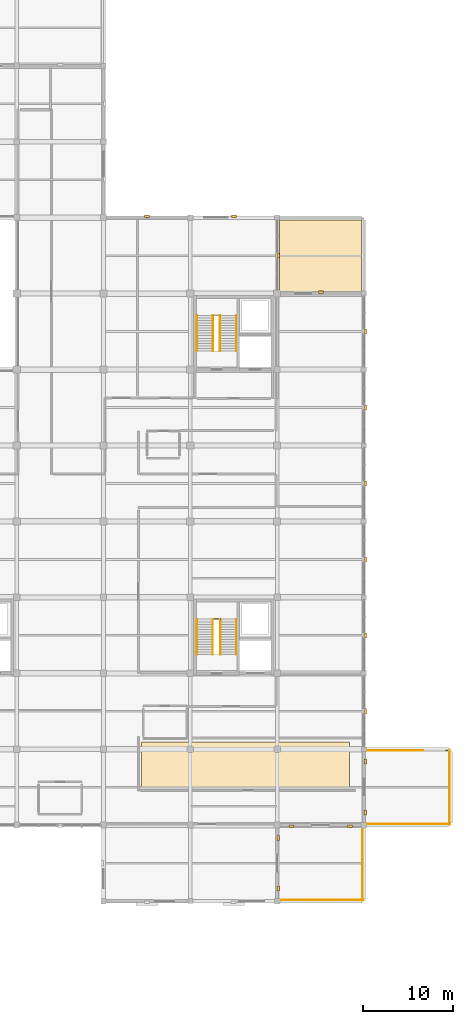
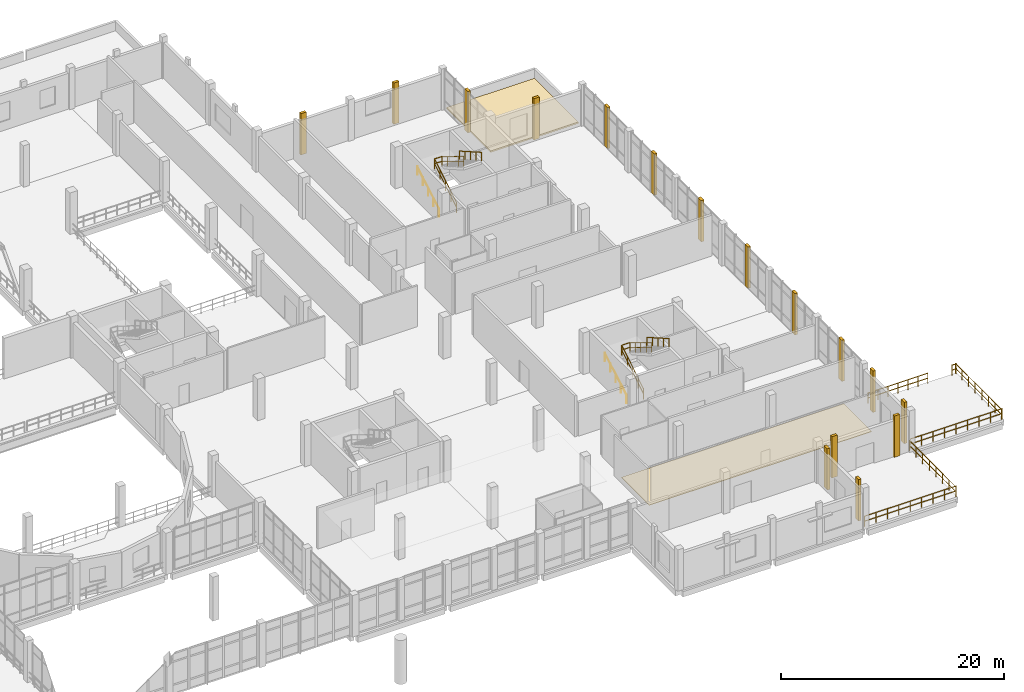
# One storey, part 102 of 102: 18 coverings, 16 railings.
"""IFC4 building model written with IfcOpenShell, lengths in metres."""

from ifc_helpers import new_model, si_unit, direction, frame, origin, origin_2d, place, context, subcontext, project, spatial, polyline, circle, outline, extrude, material, layer, layer_set, type_object, element, save


model = new_model("IFC4")

# Units and contexts
model_context = context("Model", 3, precision=1e-05, world=origin(), true_north=direction((0.0, 1.0)))
body_context = subcontext(model_context, "Body", "Model", "MODEL_VIEW")
ifc_project = project(units=[si_unit("LENGTHUNIT", "METRE"), si_unit("AREAUNIT", "SQUARE_METRE"), si_unit("VOLUMEUNIT", "CUBIC_METRE"), si_unit("PLANEANGLEUNIT", "RADIAN"), si_unit("MASSUNIT", "GRAM", prefix="KILO")], contexts=[model_context])

# Site, building, storey
site_placement = place(None, origin())
site = spatial("IfcSite", under=ifc_project, at=site_placement, CompositionType="ELEMENT")
building_placement = place(site_placement, origin())
building = spatial("IfcBuilding", under=site, at=building_placement, Name="Lornevale Opera House", CompositionType="ELEMENT")
storey_placement = place(building_placement, frame((0.0, 0.0, 5.39990234375)))
storey = spatial("IfcBuildingStorey", under=building, at=storey_placement, Name="L02", CompositionType="ELEMENT", Elevation=5.39990234375)

# Coverings
ifc_material_1 = material(Name="Vegetated Extensive Green Roof Assembly")
ifc_layer_1 = layer(ifc_material_1, 0.159912109375)
ifc_layer_set_1 = layer_set([ifc_layer_1], Name="Vegetated Extensive Green Roof Assembly")
covering_type_1 = type_object("IfcCoveringType", Name="Chapter 492 Green Roof Covering", PredefinedType="ROOFING", material=ifc_layer_set_1)
covering_1_placement = place(storey_placement, origin())
element("IfcCovering", 1, at=covering_1_placement, inside=storey, type_object=covering_type_1, Name="Chapter 492 Green Roof Covering 0559", PredefinedType="ROOFING", context=body_context, shape_type="SweptSolid", body=[
    extrude(outline(polyline([(153.340087890625, 83.739990234375), (153.340087890625, 75.860107421875), (144.260009765625, 75.860107421875), (144.260009765625, 83.739990234375), (153.340087890625, 83.739990234375)])), origin(), (0.0, 0.0, 1.0), 0.16015625),
])
ifc_material_2 = material(Name="Precast Concrete 40 MPa (CSA A23.1 C-1)", Category="concrete")
ifc_layer_2 = layer(ifc_material_2, 0.260009765625)
ifc_layer_set_2 = layer_set([ifc_layer_2], Name="Precast Concrete 40 MPa (CSA A23.1 C-1)")
covering_type_2 = type_object("IfcCoveringType", Name="Postmodern Sandstone Pilaster Rib", PredefinedType="CLADDING", material=ifc_layer_set_2)
covering_2_placement = place(storey_placement, origin())
element("IfcCovering", 2, at=covering_2_placement, inside=storey, type_object=covering_type_2, Name="Postmodern Sandstone Pilaster 0232", PredefinedType="CLADDING", context=body_context, shape_type="SweptSolid", body=[
    extrude(outline(polyline([(129.3330078125, 84.0), (129.89306640625, 84.0), (129.89306640625, 84.280029296875), (129.3330078125, 84.280029296875), (129.3330078125, 84.0)])), origin(), (0.0, 0.0, 1.0), 4.52001953125),
])
covering_3_placement = place(storey_placement, origin())
element("IfcCovering", 3, at=covering_3_placement, inside=storey, type_object=covering_type_2, Name="Postmodern Sandstone Pilaster 0234", PredefinedType="CLADDING", context=body_context, shape_type="SweptSolid", body=[
    extrude(outline(polyline([(144.0, 15.6669921875), (144.0, 15.10693359375), (144.280029296875, 15.10693359375), (144.280029296875, 15.6669921875), (144.0, 15.6669921875)])), origin(), (0.0, 0.0, 1.0), 4.52001953125),
])
covering_4_placement = place(storey_placement, origin())
element("IfcCovering", 4, at=covering_4_placement, inside=storey, type_object=covering_type_2, Name="Postmodern Sandstone Pilaster 0235", PredefinedType="CLADDING", context=body_context, shape_type="SweptSolid", body=[
    extrude(outline(polyline([(144.0, 10.069091796875), (144.0, 9.509033203125), (144.280029296875, 9.509033203125), (144.280029296875, 10.069091796875), (144.0, 10.069091796875)])), origin(), (0.0, 0.0, 1.0), 4.52001953125),
])
covering_5_placement = place(storey_placement, origin())
element("IfcCovering", 5, at=covering_5_placement, inside=storey, type_object=covering_type_2, Name="Postmodern Sandstone Pilaster 0236", PredefinedType="CLADDING", context=body_context, shape_type="SweptSolid", body=[
    extrude(outline(polyline([(138.931884765625, 84.0), (139.491943359375, 84.0), (139.491943359375, 84.280029296875), (138.931884765625, 84.280029296875), (138.931884765625, 84.0)])), origin(), (0.0, 0.0, 1.0), 4.52001953125),
])
covering_6_placement = place(storey_placement, origin())
element("IfcCovering", 6, at=covering_6_placement, inside=storey, type_object=covering_type_2, Name="Postmodern Sandstone Mullion Pier 0237", PredefinedType="CLADDING", context=body_context, shape_type="SweptSolid", body=[
    extrude(outline(polyline([(144.0, 80.080078125), (144.0, 79.52001953125), (144.280029296875, 79.52001953125), (144.280029296875, 80.080078125), (144.0, 80.080078125)])), origin(), (0.0, 0.0, 1.0), 4.52001953125),
])
covering_7_placement = place(storey_placement, origin())
element("IfcCovering", 7, at=covering_7_placement, inside=storey, type_object=covering_type_2, Name="Postmodern Sandstone Pilaster 0238", PredefinedType="CLADDING", context=body_context, shape_type="SweptSolid", body=[
    extrude(outline(polyline([(152.323974609375, 16.800048828125), (151.763916015625, 16.800048828125), (151.763916015625, 16.52001953125), (152.323974609375, 16.52001953125), (152.323974609375, 16.800048828125)])), origin(), (0.0, 0.0, 1.0), 4.52001953125),
])
covering_8_placement = place(storey_placement, origin())
element("IfcCovering", 8, at=covering_8_placement, inside=storey, type_object=covering_type_2, Name="Postmodern Sandstone Pilaster 0239", PredefinedType="CLADDING", context=body_context, shape_type="SweptSolid", body=[
    extrude(outline(polyline([(145.862060546875, 16.800048828125), (145.302001953125, 16.800048828125), (145.302001953125, 16.52001953125), (145.862060546875, 16.52001953125), (145.862060546875, 16.800048828125)])), origin(), (0.0, 0.0, 1.0), 4.52001953125),
])
covering_9_placement = place(storey_placement, origin())
element("IfcCovering", 9, at=covering_9_placement, inside=storey, type_object=covering_type_2, Name="Postmodern Sandstone Pilaster 0240", PredefinedType="CLADDING", context=body_context, shape_type="SweptSolid", body=[
    extrude(outline(polyline([(153.60009765625, 24.10888671875), (153.60009765625, 23.549072265625), (153.8798828125, 23.549072265625), (153.8798828125, 24.10888671875), (153.60009765625, 24.10888671875)])), origin(), (0.0, 0.0, 1.0), 4.52001953125),
])
covering_10_placement = place(storey_placement, origin())
element("IfcCovering", 10, at=covering_10_placement, inside=storey, type_object=covering_type_2, Name="Postmodern Sandstone Pilaster 0241", PredefinedType="CLADDING", context=body_context, shape_type="SweptSolid", body=[
    extrude(outline(polyline([(153.60009765625, 18.47607421875), (153.60009765625, 17.916015625), (153.8798828125, 17.916015625), (153.8798828125, 18.47607421875), (153.60009765625, 18.47607421875)])), origin(), (0.0, 0.0, 1.0), 4.52001953125),
])
covering_11_placement = place(storey_placement, origin())
element("IfcCovering", 11, at=covering_11_placement, inside=storey, type_object=covering_type_2, Name="Postmodern Sandstone Mullion Pier 0242", PredefinedType="CLADDING", context=body_context, shape_type="SweptSolid", body=[
    extrude(outline(polyline([(153.60009765625, 29.679931640625), (153.60009765625, 29.1201171875), (153.8798828125, 29.1201171875), (153.8798828125, 29.679931640625), (153.60009765625, 29.679931640625)])), origin(), (0.0, 0.0, 1.0), 4.52001953125),
])
covering_12_placement = place(storey_placement, origin())
element("IfcCovering", 12, at=covering_12_placement, inside=storey, type_object=covering_type_2, Name="Postmodern Sandstone Mullion Pier 0243", PredefinedType="CLADDING", context=body_context, shape_type="SweptSolid", body=[
    extrude(outline(polyline([(153.60009765625, 38.080078125), (153.60009765625, 37.52001953125), (153.8798828125, 37.52001953125), (153.8798828125, 38.080078125), (153.60009765625, 38.080078125)])), origin(), (0.0, 0.0, 1.0), 4.52001953125),
])
covering_13_placement = place(storey_placement, origin())
element("IfcCovering", 13, at=covering_13_placement, inside=storey, type_object=covering_type_2, Name="Postmodern Sandstone Mullion Pier 0244", PredefinedType="CLADDING", context=body_context, shape_type="SweptSolid", body=[
    extrude(outline(polyline([(153.60009765625, 46.47998046875), (153.60009765625, 45.919921875), (153.8798828125, 45.919921875), (153.8798828125, 46.47998046875), (153.60009765625, 46.47998046875)])), origin(), (0.0, 0.0, 1.0), 4.52001953125),
])
covering_14_placement = place(storey_placement, origin())
element("IfcCovering", 14, at=covering_14_placement, inside=storey, type_object=covering_type_2, Name="Postmodern Sandstone Mullion Pier 0245", PredefinedType="CLADDING", context=body_context, shape_type="SweptSolid", body=[
    extrude(outline(polyline([(153.60009765625, 54.8798828125), (153.60009765625, 54.320068359375), (153.8798828125, 54.320068359375), (153.8798828125, 54.8798828125), (153.60009765625, 54.8798828125)])), origin(), (0.0, 0.0, 1.0), 4.52001953125),
])
covering_15_placement = place(storey_placement, origin())
element("IfcCovering", 15, at=covering_15_placement, inside=storey, type_object=covering_type_2, Name="Postmodern Sandstone Mullion Pier 0246", PredefinedType="CLADDING", context=body_context, shape_type="SweptSolid", body=[
    extrude(outline(polyline([(153.60009765625, 63.280029296875), (153.60009765625, 62.719970703125), (153.8798828125, 62.719970703125), (153.8798828125, 63.280029296875), (153.60009765625, 63.280029296875)])), origin(), (0.0, 0.0, 1.0), 4.52001953125),
])
covering_16_placement = place(storey_placement, origin())
element("IfcCovering", 16, at=covering_16_placement, inside=storey, type_object=covering_type_2, Name="Postmodern Sandstone Pilaster 0247", PredefinedType="CLADDING", context=body_context, shape_type="SweptSolid", body=[
    extrude(outline(polyline([(148.5830078125, 75.60009765625), (149.14306640625, 75.60009765625), (149.14306640625, 75.8798828125), (148.5830078125, 75.8798828125), (148.5830078125, 75.60009765625)])), origin(), (0.0, 0.0, 1.0), 4.52001953125),
])
covering_17_placement = place(storey_placement, origin())
element("IfcCovering", 17, at=covering_17_placement, inside=storey, type_object=covering_type_2, Name="Postmodern Sandstone Mullion Pier 0248", PredefinedType="CLADDING", context=body_context, shape_type="SweptSolid", body=[
    extrude(outline(polyline([(153.60009765625, 71.679931640625), (153.60009765625, 71.1201171875), (153.8798828125, 71.1201171875), (153.8798828125, 71.679931640625), (153.60009765625, 71.679931640625)])), origin(), (0.0, 0.0, 1.0), 4.52001953125),
])
ifc_material_3 = material(Name="Credit Valley Sandstone Ashlar Masonry (25 MPa)", Category="masonry")
ifc_layer_3 = layer(ifc_material_3, 0.054931640625)
ifc_layer_set_3 = layer_set([ifc_layer_3], Name="Credit Valley Sandstone Ashlar Masonry (25 MPa)")
covering_type_3 = type_object("IfcCoveringType", Name="Sandstone Forecourt Paving", PredefinedType="FLOORING", material=ifc_layer_set_3)
covering_18_placement = place(storey_placement, origin())
element("IfcCovering", 18, at=covering_18_placement, inside=storey, type_object=covering_type_3, Name="Architectural Stone & Timber Flooring 05", PredefinedType="FLOORING", context=body_context, shape_type="SweptSolid", body=[
    extrude(outline(polyline([(129.0, 21.0), (152.0, 21.0), (152.0, 26.0), (129.0, 26.0), (129.0, 21.0)])), origin(), (0.0, 0.0, 1.0), 0.05517578125),
])

# Railings
ifc_material_4 = material(Name="Structural Steel CSA G40.21 Grade 350W (350 MPa)", Category="steel")
ifc_layer_4 = layer(ifc_material_4, 0.050048828125)
ifc_layer_set_4 = layer_set([ifc_layer_4], Name="Structural Steel CSA G40.21 Grade 350W (350 MPa)")
railing_type_1 = type_object("IfcRailingType", Name="Stair Well Guardrail 1100", PredefinedType="GUARDRAIL", material=ifc_layer_set_4)
railing_1_placement = place(storey_placement, frame((136.919921875, 69.260009765625, 0.0)))
element("IfcRailing", 19, at=railing_1_placement, inside=storey, type_object=railing_type_1, Name="ST-31 Inner Well Guard F1", PredefinedType="GUARDRAIL", context=body_context, shape_type="SweptSolid", body=[
    extrude(circle(Radius=0.02392578125, at=origin_2d()), frame((0.0, 0.0, 1.076171875), z_axis=(0.0, 0.852832477147, 0.522184609045), x_axis=(-1.0, 0.0, 0.0)), (0.0, 0.0, 1.0), 4.596435546875),
    extrude(circle(Radius=0.02392578125, at=origin_2d()), frame((0.0, 0.0, 0.550048828125), z_axis=(0.0, 0.852832477147, 0.522184609045), x_axis=(-1.0, 0.0, 0.0)), (0.0, 0.0, 1.0), 4.596435546875),
    extrude(circle(Radius=0.02099609375, at=origin_2d()), origin(), (0.0, 0.0, 1.0), 1.052001953125),
    extrude(circle(Radius=0.02099609375, at=origin_2d()), frame((0.0, 0.97998046875, 0.60009765625)), (0.0, 0.0, 1.0), 1.052001953125),
    extrude(circle(Radius=0.02099609375, at=origin_2d()), frame((0.0, 1.9599609375, 1.2001953125)), (0.0, 0.0, 1.0), 1.052001953125),
    extrude(circle(Radius=0.02099609375, at=origin_2d()), frame((0.0, 2.93994140625, 1.800048828125)), (0.0, 0.0, 1.0), 1.052001953125),
    extrude(circle(Radius=0.02099609375, at=origin_2d()), frame((0.0, 3.919921875, 2.400146484375)), (0.0, 0.0, 1.0), 1.052001953125),
])
railing_2_placement = place(storey_placement, frame((137.679931640625, 73.179931640625, 2.400146484375)))
element("IfcRailing", 20, at=railing_2_placement, inside=storey, type_object=railing_type_1, Name="ST-31 Inner Well Guard F2", PredefinedType="GUARDRAIL", context=body_context, shape_type="SweptSolid", body=[
    extrude(circle(Radius=0.02392578125, at=origin_2d()), frame((0.0, 0.0, 1.076171875), z_axis=(0.0, -0.852856131449, 0.522145974847), x_axis=(1.0, 0.0, 0.0)), (0.0, 0.0, 1.0), 4.59619140625),
    extrude(circle(Radius=0.02392578125, at=origin_2d()), frame((0.0, 0.0, 0.550048828125), z_axis=(0.0, -0.852856131449, 0.522145974847), x_axis=(1.0, 0.0, 0.0)), (0.0, 0.0, 1.0), 4.59619140625),
    extrude(circle(Radius=0.02099609375, at=origin_2d()), origin(), (0.0, 0.0, 1.0), 1.052001953125),
    extrude(circle(Radius=0.02099609375, at=origin_2d()), frame((0.0, -0.97998046875, 0.60009765625)), (0.0, 0.0, 1.0), 1.052001953125),
    extrude(circle(Radius=0.02099609375, at=origin_2d()), frame((0.0, -1.9599609375, 1.199951171875)), (0.0, 0.0, 1.0), 1.052001953125),
    extrude(circle(Radius=0.02099609375, at=origin_2d()), frame((0.0, -2.93994140625, 1.7998046875)), (0.0, 0.0, 1.0), 1.052001953125),
    extrude(circle(Radius=0.02099609375, at=origin_2d()), frame((0.0, -3.919921875, 2.39990234375)), (0.0, 0.0, 1.0), 1.052001953125),
])
railing_3_placement = place(storey_placement, frame((136.919921875, 73.2099609375, 2.400146484375)))
element("IfcRailing", 21, at=railing_3_placement, inside=storey, type_object=railing_type_1, Name="ST-31 Half-Landing Slot Guard", PredefinedType="GUARDRAIL", context=body_context, shape_type="SweptSolid", body=[
    extrude(circle(Radius=0.02392578125, at=origin_2d()), frame((0.0, 0.0, 1.076171875), z_axis=(1.0, 0.0, 0.0), x_axis=(0.0, 1.0, 0.0)), (0.0, 0.0, 1.0), 0.760009765625),
    extrude(circle(Radius=0.02392578125, at=origin_2d()), frame((0.0, 0.0, 0.550048828125), z_axis=(1.0, 0.0, 0.0), x_axis=(0.0, 1.0, 0.0)), (0.0, 0.0, 1.0), 0.760009765625),
    extrude(circle(Radius=0.02099609375, at=origin_2d()), origin(), (0.0, 0.0, 1.0), 1.052001953125),
    extrude(circle(Radius=0.02099609375, at=origin_2d()), frame((0.760009765625, 0.0, 0.0)), (0.0, 0.0, 1.0), 1.052001953125),
])
railing_4_placement = place(storey_placement, frame((136.8798828125, 35.659912109375, 0.0)))
element("IfcRailing", 22, at=railing_4_placement, inside=storey, type_object=railing_type_1, Name="ST-38 Inner Well Guard F1", PredefinedType="GUARDRAIL", context=body_context, shape_type="SweptSolid", body=[
    extrude(circle(Radius=0.02392578125, at=origin_2d()), frame((0.0, 0.0, 1.076171875), z_axis=(0.0, 0.852846959695, 0.522160955394), x_axis=(-1.0, 0.0, 0.0)), (0.0, 0.0, 1.0), 4.5966796875),
    extrude(circle(Radius=0.02392578125, at=origin_2d()), frame((0.0, 0.0, 0.550048828125), z_axis=(0.0, 0.852846959695, 0.522160955394), x_axis=(-1.0, 0.0, 0.0)), (0.0, 0.0, 1.0), 4.5966796875),
    extrude(circle(Radius=0.02099609375, at=origin_2d()), origin(), (0.0, 0.0, 1.0), 1.052001953125),
    extrude(circle(Radius=0.02099609375, at=origin_2d()), frame((0.0, 0.97998046875, 0.60009765625)), (0.0, 0.0, 1.0), 1.052001953125),
    extrude(circle(Radius=0.02099609375, at=origin_2d()), frame((0.0, 1.9599609375, 1.2001953125)), (0.0, 0.0, 1.0), 1.052001953125),
    extrude(circle(Radius=0.02099609375, at=origin_2d()), frame((0.0, 2.940185546875, 1.800048828125)), (0.0, 0.0, 1.0), 1.052001953125),
    extrude(circle(Radius=0.02099609375, at=origin_2d()), frame((0.0, 3.920166015625, 2.400146484375)), (0.0, 0.0, 1.0), 1.052001953125),
])
railing_5_placement = place(storey_placement, frame((137.719970703125, 39.580078125, 2.400146484375)))
element("IfcRailing", 23, at=railing_5_placement, inside=storey, type_object=railing_type_1, Name="ST-38 Inner Well Guard F2", PredefinedType="GUARDRAIL", context=body_context, shape_type="SweptSolid", body=[
    extrude(circle(Radius=0.02392578125, at=origin_2d()), frame((0.0, 0.0, 1.076171875), z_axis=(0.0, -0.852870612257, 0.522122321634), x_axis=(1.0, 0.0, 0.0)), (0.0, 0.0, 1.0), 4.596435546875),
    extrude(circle(Radius=0.02392578125, at=origin_2d()), frame((0.0, 0.0, 0.550048828125), z_axis=(0.0, -0.852870612257, 0.522122321634), x_axis=(1.0, 0.0, 0.0)), (0.0, 0.0, 1.0), 4.596435546875),
    extrude(circle(Radius=0.02099609375, at=origin_2d()), origin(), (0.0, 0.0, 1.0), 1.052001953125),
    extrude(circle(Radius=0.02099609375, at=origin_2d()), frame((0.0, -0.97998046875, 0.60009765625)), (0.0, 0.0, 1.0), 1.052001953125),
    extrude(circle(Radius=0.02099609375, at=origin_2d()), frame((0.0, -1.9599609375, 1.199951171875)), (0.0, 0.0, 1.0), 1.052001953125),
    extrude(circle(Radius=0.02099609375, at=origin_2d()), frame((0.0, -2.940185546875, 1.7998046875)), (0.0, 0.0, 1.0), 1.052001953125),
    extrude(circle(Radius=0.02099609375, at=origin_2d()), frame((0.0, -3.920166015625, 2.39990234375)), (0.0, 0.0, 1.0), 1.052001953125),
])
railing_6_placement = place(storey_placement, frame((136.8798828125, 39.610107421875, 2.400146484375)))
element("IfcRailing", 24, at=railing_6_placement, inside=storey, type_object=railing_type_1, Name="ST-38 Half-Landing Slot Guard", PredefinedType="GUARDRAIL", context=body_context, shape_type="SweptSolid", body=[
    extrude(circle(Radius=0.02392578125, at=origin_2d()), frame((0.0, 0.0, 1.076171875), z_axis=(1.0, 0.0, 0.0), x_axis=(0.0, 1.0, 0.0)), (0.0, 0.0, 1.0), 0.840087890625),
    extrude(circle(Radius=0.02392578125, at=origin_2d()), frame((0.0, 0.0, 0.550048828125), z_axis=(1.0, 0.0, 0.0), x_axis=(0.0, 1.0, 0.0)), (0.0, 0.0, 1.0), 0.840087890625),
    extrude(circle(Radius=0.02099609375, at=origin_2d()), origin(), (0.0, 0.0, 1.0), 1.052001953125),
    extrude(circle(Radius=0.02099609375, at=origin_2d()), frame((0.840087890625, 0.0, 0.0)), (0.0, 0.0, 1.0), 1.052001953125),
])
ifc_layer_5 = layer(ifc_material_4, 0.06005859375)
ifc_layer_set_5 = layer_set([ifc_layer_5], Name="Structural Steel CSA G40.21 Grade 350W (350 MPa)")
railing_type_2 = type_object("IfcRailingType", Name="Terrace Tubular Guardrail 1120", PredefinedType="GUARDRAIL", material=ifc_layer_set_5)
railing_7_placement = place(storey_placement, frame((144.050048828125, 8.5400390625, 0.0)))
element("IfcRailing", 25, at=railing_7_placement, inside=storey, type_object=railing_type_2, Name="Terrace Perimeter Guard L02 0303", PredefinedType="GUARDRAIL", context=body_context, shape_type="SweptSolid", body=[
    extrude(circle(Radius=0.02392578125, at=origin_2d()), frame((0.0, 0.0, 1.09619140625), z_axis=(1.0, 0.0, 0.0), x_axis=(0.0, 1.0, 0.0)), (0.0, 0.0, 1.0), 9.5),
    extrude(circle(Radius=0.02392578125, at=origin_2d()), frame((0.0, 0.0, 0.56005859375), z_axis=(1.0, 0.0, 0.0), x_axis=(0.0, 1.0, 0.0)), (0.0, 0.0, 1.0), 9.5),
    extrude(circle(Radius=0.02099609375, at=origin_2d()), origin(), (0.0, 0.0, 1.0), 1.072021484375),
    extrude(circle(Radius=0.02099609375, at=origin_2d()), frame((1.1875, 0.0, 0.0)), (0.0, 0.0, 1.0), 1.072021484375),
    extrude(circle(Radius=0.02099609375, at=origin_2d()), frame((2.375, 0.0, 0.0)), (0.0, 0.0, 1.0), 1.072021484375),
    extrude(circle(Radius=0.02099609375, at=origin_2d()), frame((3.5625, 0.0, 0.0)), (0.0, 0.0, 1.0), 1.072021484375),
    extrude(circle(Radius=0.02099609375, at=origin_2d()), frame((4.75, 0.0, 0.0)), (0.0, 0.0, 1.0), 1.072021484375),
    extrude(circle(Radius=0.02099609375, at=origin_2d()), frame((5.9375, 0.0, 0.0)), (0.0, 0.0, 1.0), 1.072021484375),
    extrude(circle(Radius=0.02099609375, at=origin_2d()), frame((7.125, 0.0, 0.0)), (0.0, 0.0, 1.0), 1.072021484375),
    extrude(circle(Radius=0.02099609375, at=origin_2d()), frame((8.3125, 0.0, 0.0)), (0.0, 0.0, 1.0), 1.072021484375),
    extrude(circle(Radius=0.02099609375, at=origin_2d()), frame((9.5, 0.0, 0.0)), (0.0, 0.0, 1.0), 1.072021484375),
])
railing_8_placement = place(storey_placement, frame((153.4599609375, 8.449951171875, 0.0)))
element("IfcRailing", 26, at=railing_8_placement, inside=storey, type_object=railing_type_2, Name="Terrace Perimeter Guard L02 0304", PredefinedType="GUARDRAIL", context=body_context, shape_type="SweptSolid", body=[
    extrude(circle(Radius=0.02392578125, at=origin_2d()), frame((0.0, 0.0, 1.09619140625), z_axis=(0.0, 1.0, 0.0), x_axis=(-1.0, 0.0, 0.0)), (0.0, 0.0, 1.0), 8.300048828125),
    extrude(circle(Radius=0.02392578125, at=origin_2d()), frame((0.0, 0.0, 0.56005859375), z_axis=(0.0, 1.0, 0.0), x_axis=(-1.0, 0.0, 0.0)), (0.0, 0.0, 1.0), 8.300048828125),
    extrude(circle(Radius=0.02099609375, at=origin_2d()), origin(), (0.0, 0.0, 1.0), 1.072021484375),
    extrude(circle(Radius=0.02099609375, at=origin_2d()), frame((0.0, 1.185791015625, 0.0)), (0.0, 0.0, 1.0), 1.072021484375),
    extrude(circle(Radius=0.02099609375, at=origin_2d()), frame((0.0, 2.371337890625, 0.0)), (0.0, 0.0, 1.0), 1.072021484375),
    extrude(circle(Radius=0.02099609375, at=origin_2d()), frame((0.0, 3.55712890625, 0.0)), (0.0, 0.0, 1.0), 1.072021484375),
    extrude(circle(Radius=0.02099609375, at=origin_2d()), frame((0.0, 4.742919921875, 0.0)), (0.0, 0.0, 1.0), 1.072021484375),
    extrude(circle(Radius=0.02099609375, at=origin_2d()), frame((0.0, 5.9287109375, 0.0)), (0.0, 0.0, 1.0), 1.072021484375),
    extrude(circle(Radius=0.02099609375, at=origin_2d()), frame((0.0, 7.1142578125, 0.0)), (0.0, 0.0, 1.0), 1.072021484375),
    extrude(circle(Radius=0.02099609375, at=origin_2d()), frame((0.0, 8.300048828125, 0.0)), (0.0, 0.0, 1.0), 1.072021484375),
])
railing_9_placement = place(storey_placement, frame((153.64990234375, 16.93994140625, 0.0)))
element("IfcRailing", 27, at=railing_9_placement, inside=storey, type_object=railing_type_2, Name="Terrace Perimeter Guard L02 0305", PredefinedType="GUARDRAIL", context=body_context, shape_type="SweptSolid", body=[
    extrude(circle(Radius=0.02392578125, at=origin_2d()), frame((0.0, 0.0, 1.09619140625), z_axis=(1.0, 0.0, 0.0), x_axis=(0.0, 1.0, 0.0)), (0.0, 0.0, 1.0), 9.5),
    extrude(circle(Radius=0.02392578125, at=origin_2d()), frame((0.0, 0.0, 0.56005859375), z_axis=(1.0, 0.0, 0.0), x_axis=(0.0, 1.0, 0.0)), (0.0, 0.0, 1.0), 9.5),
    extrude(circle(Radius=0.02099609375, at=origin_2d()), origin(), (0.0, 0.0, 1.0), 1.072021484375),
    extrude(circle(Radius=0.02099609375, at=origin_2d()), frame((1.1875, 0.0, 0.0)), (0.0, 0.0, 1.0), 1.072021484375),
    extrude(circle(Radius=0.02099609375, at=origin_2d()), frame((2.375, 0.0, 0.0)), (0.0, 0.0, 1.0), 1.072021484375),
    extrude(circle(Radius=0.02099609375, at=origin_2d()), frame((3.5625, 0.0, 0.0)), (0.0, 0.0, 1.0), 1.072021484375),
    extrude(circle(Radius=0.02099609375, at=origin_2d()), frame((4.75, 0.0, 0.0)), (0.0, 0.0, 1.0), 1.072021484375),
    extrude(circle(Radius=0.02099609375, at=origin_2d()), frame((5.9375, 0.0, 0.0)), (0.0, 0.0, 1.0), 1.072021484375),
    extrude(circle(Radius=0.02099609375, at=origin_2d()), frame((7.125, 0.0, 0.0)), (0.0, 0.0, 1.0), 1.072021484375),
    extrude(circle(Radius=0.02099609375, at=origin_2d()), frame((8.3125, 0.0, 0.0)), (0.0, 0.0, 1.0), 1.072021484375),
    extrude(circle(Radius=0.02099609375, at=origin_2d()), frame((9.5, 0.0, 0.0)), (0.0, 0.0, 1.0), 1.072021484375),
])
railing_10_placement = place(storey_placement, frame((153.9599609375, 25.06005859375, 0.0)))
element("IfcRailing", 28, at=railing_10_placement, inside=storey, type_object=railing_type_2, Name="Terrace Perimeter Guard L02 0306", PredefinedType="GUARDRAIL", context=body_context, shape_type="SweptSolid", body=[
    extrude(circle(Radius=0.02392578125, at=origin_2d()), frame((0.0, 0.0, 1.09619140625), z_axis=(1.0, 0.0, 0.0), x_axis=(0.0, 1.0, 0.0)), (0.0, 0.0, 1.0), 6.18994140625),
    extrude(circle(Radius=0.02392578125, at=origin_2d()), frame((0.0, 0.0, 0.56005859375), z_axis=(1.0, 0.0, 0.0), x_axis=(0.0, 1.0, 0.0)), (0.0, 0.0, 1.0), 6.18994140625),
    extrude(circle(Radius=0.02099609375, at=origin_2d()), origin(), (0.0, 0.0, 1.0), 1.072021484375),
    extrude(circle(Radius=0.02099609375, at=origin_2d()), frame((1.03173828125, 0.0, 0.0)), (0.0, 0.0, 1.0), 1.072021484375),
    extrude(circle(Radius=0.02099609375, at=origin_2d()), frame((2.063232421875, 0.0, 0.0)), (0.0, 0.0, 1.0), 1.072021484375),
    extrude(circle(Radius=0.02099609375, at=origin_2d()), frame((3.094970703125, 0.0, 0.0)), (0.0, 0.0, 1.0), 1.072021484375),
    extrude(circle(Radius=0.02099609375, at=origin_2d()), frame((4.126708984375, 0.0, 0.0)), (0.0, 0.0, 1.0), 1.072021484375),
    extrude(circle(Radius=0.02099609375, at=origin_2d()), frame((5.158203125, 0.0, 0.0)), (0.0, 0.0, 1.0), 1.072021484375),
    extrude(circle(Radius=0.02099609375, at=origin_2d()), frame((6.18994140625, 0.0, 0.0)), (0.0, 0.0, 1.0), 1.072021484375),
])
railing_11_placement = place(storey_placement, frame((162.64990234375, 25.06005859375, 0.0)))
element("IfcRailing", 29, at=railing_11_placement, inside=storey, type_object=railing_type_2, Name="Terrace Perimeter Guard L02 0307", PredefinedType="GUARDRAIL", context=body_context, shape_type="SweptSolid", body=[
    extrude(circle(Radius=0.02392578125, at=origin_2d()), frame((0.0, 0.0, 1.09619140625), z_axis=(1.0, 0.0, 0.0), x_axis=(0.0, 1.0, 0.0)), (0.0, 0.0, 1.0), 0.5),
    extrude(circle(Radius=0.02392578125, at=origin_2d()), frame((0.0, 0.0, 0.56005859375), z_axis=(1.0, 0.0, 0.0), x_axis=(0.0, 1.0, 0.0)), (0.0, 0.0, 1.0), 0.5),
    extrude(circle(Radius=0.02099609375, at=origin_2d()), origin(), (0.0, 0.0, 1.0), 1.072021484375),
    extrude(circle(Radius=0.02099609375, at=origin_2d()), frame((0.5, 0.0, 0.0)), (0.0, 0.0, 1.0), 1.072021484375),
])
railing_12_placement = place(storey_placement, frame((163.06005859375, 16.85009765625, 0.0)))
element("IfcRailing", 30, at=railing_12_placement, inside=storey, type_object=railing_type_2, Name="Terrace Perimeter Guard L02 0308", PredefinedType="GUARDRAIL", context=body_context, shape_type="SweptSolid", body=[
    extrude(circle(Radius=0.02392578125, at=origin_2d()), frame((0.0, 0.0, 1.09619140625), z_axis=(0.0, 1.0, 0.0), x_axis=(-1.0, 0.0, 0.0)), (0.0, 0.0, 1.0), 8.2998046875),
    extrude(circle(Radius=0.02392578125, at=origin_2d()), frame((0.0, 0.0, 0.56005859375), z_axis=(0.0, 1.0, 0.0), x_axis=(-1.0, 0.0, 0.0)), (0.0, 0.0, 1.0), 8.2998046875),
    extrude(circle(Radius=0.02099609375, at=origin_2d()), origin(), (0.0, 0.0, 1.0), 1.072021484375),
    extrude(circle(Radius=0.02099609375, at=origin_2d()), frame((0.0, 1.185791015625, 0.0)), (0.0, 0.0, 1.0), 1.072021484375),
    extrude(circle(Radius=0.02099609375, at=origin_2d()), frame((0.0, 2.371337890625, 0.0)), (0.0, 0.0, 1.0), 1.072021484375),
    extrude(circle(Radius=0.02099609375, at=origin_2d()), frame((0.0, 3.55712890625, 0.0)), (0.0, 0.0, 1.0), 1.072021484375),
    extrude(circle(Radius=0.02099609375, at=origin_2d()), frame((0.0, 4.74267578125, 0.0)), (0.0, 0.0, 1.0), 1.072021484375),
    extrude(circle(Radius=0.02099609375, at=origin_2d()), frame((0.0, 5.928466796875, 0.0)), (0.0, 0.0, 1.0), 1.072021484375),
    extrude(circle(Radius=0.02099609375, at=origin_2d()), frame((0.0, 7.114013671875, 0.0)), (0.0, 0.0, 1.0), 1.072021484375),
    extrude(circle(Radius=0.02099609375, at=origin_2d()), frame((0.0, 8.2998046875, 0.0)), (0.0, 0.0, 1.0), 1.072021484375),
])
ifc_layer_6 = layer(ifc_material_4, 0.048095703125)
ifc_layer_set_6 = layer_set([ifc_layer_6], Name="Structural Steel CSA G40.21 Grade 350W (350 MPa)")
railing_type_3 = type_object("IfcRailingType", Name="Tubular Stair Handrail 915", PredefinedType="HANDRAIL", material=ifc_layer_set_6)
railing_13_placement = place(storey_placement, frame((135.1201171875, 69.260009765625, 0.1630859375)))
element("IfcRailing", 31, at=railing_13_placement, inside=storey, type_object=railing_type_3, Name="ST-31 Outer Handrail F1", PredefinedType="HANDRAIL", context=body_context, shape_type="SweptSolid", body=[
    extrude(circle(Radius=0.02392578125, at=origin_2d()), frame((0.0, 0.0, 0.89111328125), z_axis=(0.0, 0.868239814368, 0.496144761885), x_axis=(-1.0, 0.0, 0.0)), (0.0, 0.0, 1.0), 4.514892578125),
    extrude(circle(Radius=0.02099609375, at=origin_2d()), origin(), (0.0, 0.0, 1.0), 0.866943359375),
    extrude(circle(Radius=0.02099609375, at=origin_2d()), frame((0.0, 0.97998046875, 0.56005859375)), (0.0, 0.0, 1.0), 0.866943359375),
    extrude(circle(Radius=0.02099609375, at=origin_2d()), frame((0.0, 1.9599609375, 1.1201171875)), (0.0, 0.0, 1.0), 0.866943359375),
    extrude(circle(Radius=0.02099609375, at=origin_2d()), frame((0.0, 2.93994140625, 1.679931640625)), (0.0, 0.0, 1.0), 0.866943359375),
    extrude(circle(Radius=0.02099609375, at=origin_2d()), frame((0.0, 3.919921875, 2.239990234375)), (0.0, 0.0, 1.0), 0.866943359375),
])
railing_14_placement = place(storey_placement, frame((139.47998046875, 73.179931640625, 2.56298828125)))
element("IfcRailing", 32, at=railing_14_placement, inside=storey, type_object=railing_type_3, Name="ST-31 Outer Handrail F2", PredefinedType="HANDRAIL", context=body_context, shape_type="SweptSolid", body=[
    extrude(circle(Radius=0.02392578125, at=origin_2d()), frame((0.0, 0.0, 0.89111328125), z_axis=(0.0, -0.868239814368, 0.496144761885), x_axis=(1.0, 0.0, 0.0)), (0.0, 0.0, 1.0), 4.514892578125),
    extrude(circle(Radius=0.02099609375, at=origin_2d()), origin(), (0.0, 0.0, 1.0), 0.866943359375),
    extrude(circle(Radius=0.02099609375, at=origin_2d()), frame((0.0, -0.97998046875, 0.56005859375)), (0.0, 0.0, 1.0), 0.866943359375),
    extrude(circle(Radius=0.02099609375, at=origin_2d()), frame((0.0, -1.9599609375, 1.1201171875)), (0.0, 0.0, 1.0), 0.866943359375),
    extrude(circle(Radius=0.02099609375, at=origin_2d()), frame((0.0, -2.93994140625, 1.679931640625)), (0.0, 0.0, 1.0), 0.866943359375),
    extrude(circle(Radius=0.02099609375, at=origin_2d()), frame((0.0, -3.919921875, 2.239990234375)), (0.0, 0.0, 1.0), 0.866943359375),
])
railing_15_placement = place(storey_placement, frame((135.1201171875, 35.659912109375, 0.1630859375)))
element("IfcRailing", 33, at=railing_15_placement, inside=storey, type_object=railing_type_3, Name="ST-38 Outer Handrail F1", PredefinedType="HANDRAIL", context=body_context, shape_type="SweptSolid", body=[
    extrude(circle(Radius=0.02392578125, at=origin_2d()), frame((0.0, 0.0, 0.89111328125), z_axis=(0.0, 0.86825312469, 0.496121468458), x_axis=(-1.0, 0.0, 0.0)), (0.0, 0.0, 1.0), 4.514892578125),
    extrude(circle(Radius=0.02099609375, at=origin_2d()), origin(), (0.0, 0.0, 1.0), 0.866943359375),
    extrude(circle(Radius=0.02099609375, at=origin_2d()), frame((0.0, 0.97998046875, 0.56005859375)), (0.0, 0.0, 1.0), 0.866943359375),
    extrude(circle(Radius=0.02099609375, at=origin_2d()), frame((0.0, 1.9599609375, 1.1201171875)), (0.0, 0.0, 1.0), 0.866943359375),
    extrude(circle(Radius=0.02099609375, at=origin_2d()), frame((0.0, 2.940185546875, 1.679931640625)), (0.0, 0.0, 1.0), 0.866943359375),
    extrude(circle(Radius=0.02099609375, at=origin_2d()), frame((0.0, 3.920166015625, 2.239990234375)), (0.0, 0.0, 1.0), 0.866943359375),
])
railing_16_placement = place(storey_placement, frame((139.47998046875, 39.580078125, 2.56298828125)))
element("IfcRailing", 34, at=railing_16_placement, inside=storey, type_object=railing_type_3, Name="ST-38 Outer Handrail F2", PredefinedType="HANDRAIL", context=body_context, shape_type="SweptSolid", body=[
    extrude(circle(Radius=0.02392578125, at=origin_2d()), frame((0.0, 0.0, 0.89111328125), z_axis=(0.0, -0.86825312469, 0.496121468458), x_axis=(1.0, 0.0, 0.0)), (0.0, 0.0, 1.0), 4.514892578125),
    extrude(circle(Radius=0.02099609375, at=origin_2d()), origin(), (0.0, 0.0, 1.0), 0.866943359375),
    extrude(circle(Radius=0.02099609375, at=origin_2d()), frame((0.0, -0.97998046875, 0.56005859375)), (0.0, 0.0, 1.0), 0.866943359375),
    extrude(circle(Radius=0.02099609375, at=origin_2d()), frame((0.0, -1.9599609375, 1.1201171875)), (0.0, 0.0, 1.0), 0.866943359375),
    extrude(circle(Radius=0.02099609375, at=origin_2d()), frame((0.0, -2.940185546875, 1.679931640625)), (0.0, 0.0, 1.0), 0.866943359375),
    extrude(circle(Radius=0.02099609375, at=origin_2d()), frame((0.0, -3.920166015625, 2.239990234375)), (0.0, 0.0, 1.0), 0.866943359375),
])

save(model, "model.ifc")
